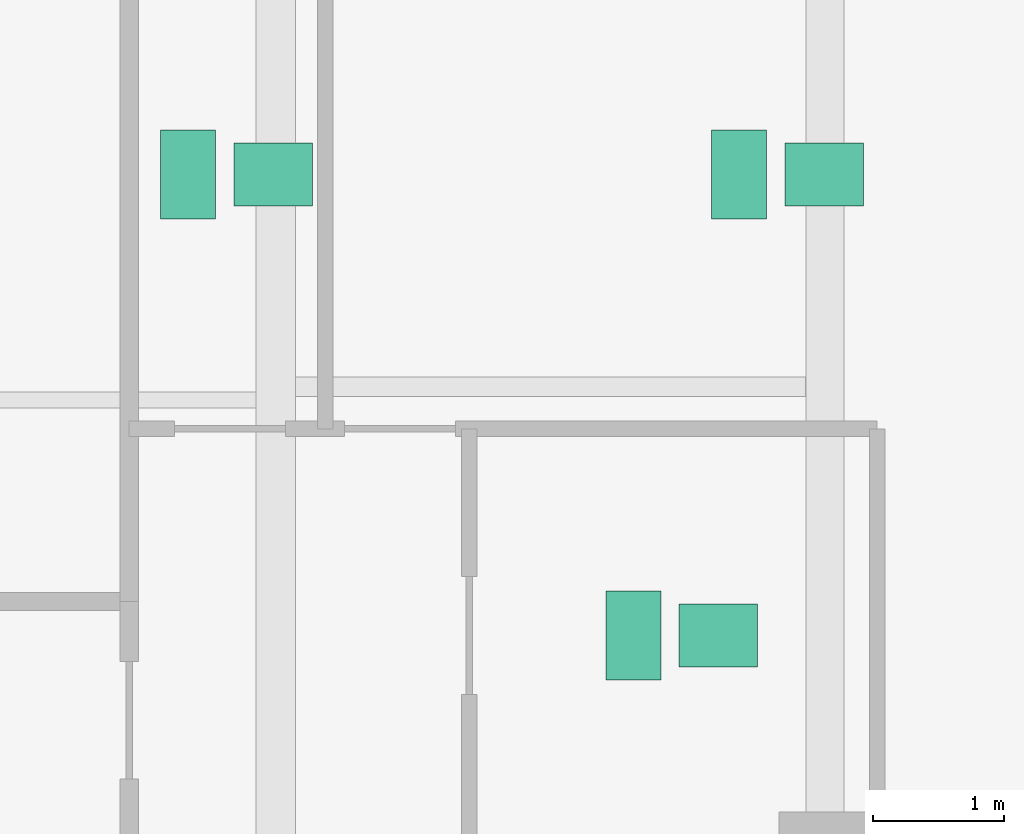
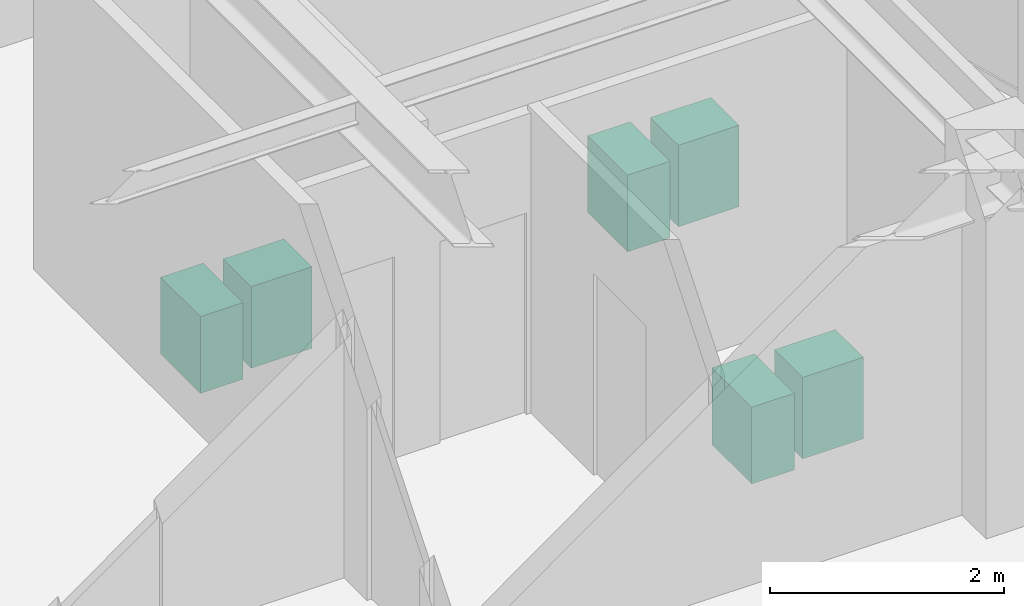
# One storey, part 20 of 20: 6 sanitary terminals.
"""IFC4 building model written with IfcOpenShell, lengths in metres."""

from ifc_helpers import new_model, si_unit, direction, frame, origin, origin_2d, place, context, subcontext, project, spatial, rectangle, extrude, source, transform, mapped, material, type_object, type_shapes, element, save


model = new_model("IFC4")

# Units and contexts
model_context = context("Model", 3, precision=1e-05, world=origin(), true_north=direction((0.0, 1.0)))
body_context = subcontext(model_context, "Body", "Model", "MODEL_VIEW")
ifc_project = project(units=[si_unit("LENGTHUNIT", "METRE"), si_unit("AREAUNIT", "SQUARE_METRE"), si_unit("VOLUMEUNIT", "CUBIC_METRE"), si_unit("PLANEANGLEUNIT", "RADIAN"), si_unit("MASSUNIT", "GRAM", prefix="KILO")], contexts=[model_context])

# Site, building, storey
site_placement = place(None, origin())
site = spatial("IfcSite", under=ifc_project, at=site_placement, CompositionType="ELEMENT")
building_placement = place(site_placement, origin())
building = spatial("IfcBuilding", under=site, at=building_placement, Name="Krantzveldt Concourse Tower", CompositionType="ELEMENT")
storey_placement = place(building_placement, frame((0.0, 0.0, 351.39990234375)))
storey = spatial("IfcBuildingStorey", under=building, at=storey_placement, Name="L86", CompositionType="ELEMENT", Elevation=351.39990234375)

# Sanitary terminals
ifc_material = material(Name="Vitreous china", Category="ceramic")
sanitary_terminal_type_1 = type_object("IfcSanitaryTerminalType", Name="SAN-WC-SUITE", PredefinedType="TOILETPAN", material=ifc_material)
shared_shape_1 = source(origin(), body_context, "Body", "SweptSolid", [
    extrude(rectangle(XDim=0.419921875, YDim=0.679931640625, at=origin_2d()), origin(), (0.0, 0.0, 1.0), 0.800048828125),
])
type_shapes(sanitary_terminal_type_1, [shared_shape_1])
for number, where, z_axis, x_axis, name in (
    (1, (50.3447265625, 31.925048828125, 0.0), (0.0, 0.0, 1.0), (1.0, 0.0, 0.0), "WC-SP-L86-WCM"),
    (2, (46.1298828125, 31.925048828125, 0.0), (0.0, 0.0, 1.0), (1.0, 0.0, 0.0), "WC-SP-L86-WCF"),
    (3, (49.534912109375, 28.39990234375, 0.0), (0.0, 0.0, 1.0), (1.0, 0.0, 0.0), "WC-SP-L86-WCA"),
):
    element("IfcSanitaryTerminal", number, at=place(storey_placement, frame(where, z_axis=z_axis, x_axis=x_axis)), inside=storey, type_object=sanitary_terminal_type_1, Name=name, PredefinedType="TOILETPAN", context=body_context, shape_type="MappedRepresentation", body=[
        mapped(shared_shape_1, transform((0.0, 0.0, 0.0), x_axis=(1.0, 0.0, 0.0), y_axis=(0.0, 1.0, 0.0), z_axis=(0.0, 0.0, 1.0), scale=1.0)),
    ])
sanitary_terminal_type_2 = type_object("IfcSanitaryTerminalType", Name="SAN-BASIN-600", PredefinedType="WASHHANDBASIN", material=ifc_material)
shared_shape_2 = source(origin(), body_context, "Body", "SweptSolid", [
    extrude(rectangle(XDim=0.60009765625, YDim=0.47998046875, at=origin_2d()), origin(), (0.0, 0.0, 1.0), 0.85009765625),
])
type_shapes(sanitary_terminal_type_2, [shared_shape_2])
for number, where, z_axis, x_axis, name in (
    (4, (50.99462890625, 31.925048828125, 0.005126953125), (0.0, 0.0, 1.0), (1.0, 0.0, 0.0), "BSN-SP-L86-WCM"),
    (5, (46.780029296875, 31.925048828125, 0.005126953125), (0.0, 0.0, 1.0), (1.0, 0.0, 0.0), "BSN-SP-L86-WCF"),
    (6, (50.18505859375, 28.39990234375, 0.005126953125), (0.0, 0.0, 1.0), (1.0, 0.0, 0.0), "BSN-SP-L86-WCA"),
):
    element("IfcSanitaryTerminal", number, at=place(storey_placement, frame(where, z_axis=z_axis, x_axis=x_axis)), inside=storey, type_object=sanitary_terminal_type_2, Name=name, PredefinedType="WASHHANDBASIN", context=body_context, shape_type="MappedRepresentation", body=[
        mapped(shared_shape_2, transform((0.0, 0.0, 0.0), x_axis=(1.0, 0.0, 0.0), y_axis=(0.0, 1.0, 0.0), z_axis=(0.0, 0.0, 1.0), scale=1.0)),
    ])

save(model, "model.ifc")
